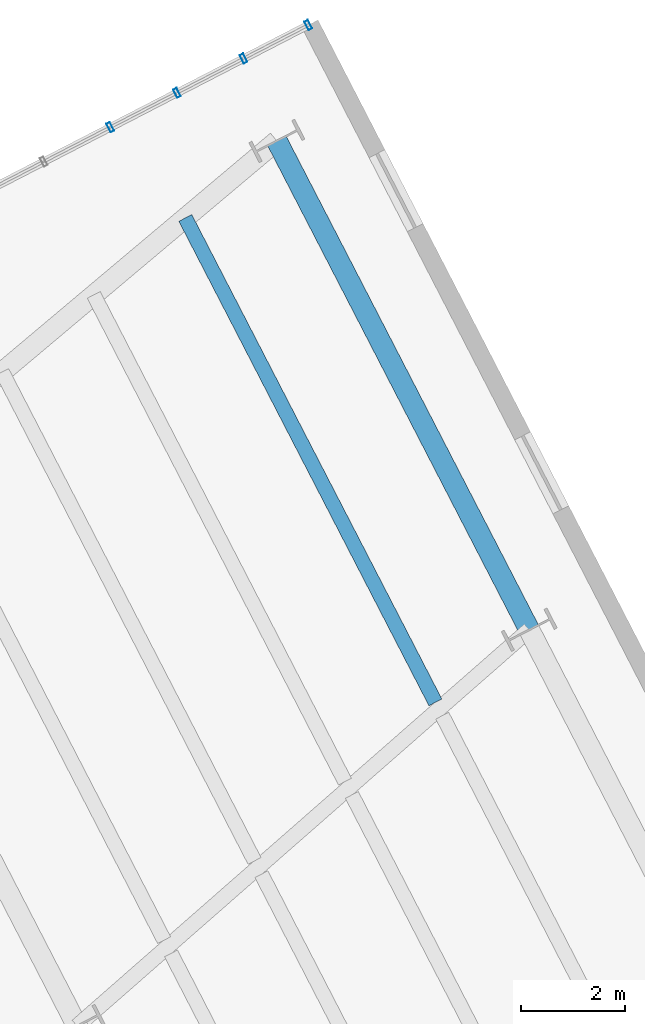
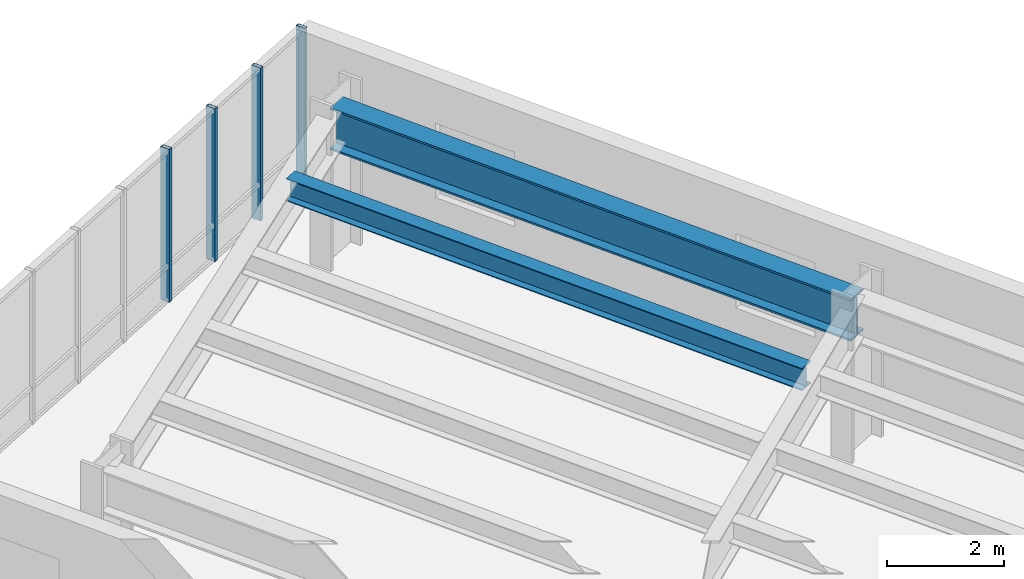
# One storey, part 4 of 11: 4 members, 2 beams, 1 element without a shape of its own.
"""IFC4 building model written with IfcOpenShell, lengths in metres."""

from ifc_helpers import new_model, si_unit, direction, frame, origin, origin_2d, place, context, subcontext, project, spatial, hollow_rectangle, i_section, extrude, material, layer, layer_set, material_profile, profile_set, type_object, element, aggregate, save


model = new_model("IFC4")

# Units and contexts
model_context = context("Model", 3, precision=1e-05, world=origin(), true_north=direction((0.0, 1.0)))
body_context = subcontext(model_context, "Body", "Model", "MODEL_VIEW")
ifc_project = project(units=[si_unit("LENGTHUNIT", "METRE"), si_unit("AREAUNIT", "SQUARE_METRE"), si_unit("VOLUMEUNIT", "CUBIC_METRE"), si_unit("PLANEANGLEUNIT", "RADIAN"), si_unit("MASSUNIT", "GRAM", prefix="KILO"), si_unit("THERMODYNAMICTEMPERATUREUNIT", "KELVIN"), si_unit("POWERUNIT", "WATT")], contexts=[model_context])

# Site, building, storey
site_placement = place(None, origin())
site = spatial("IfcSite", under=ifc_project, at=site_placement, CompositionType="ELEMENT")
building_placement = place(site_placement, origin())
building = spatial("IfcBuilding", under=site, at=building_placement, Name="Skarre Station Tower", CompositionType="ELEMENT")
storey_placement = place(building_placement, frame((0.0, 0.0, 146.39990234375)))
storey = spatial("IfcBuildingStorey", under=building, at=storey_placement, Name="L39", CompositionType="ELEMENT", Elevation=146.39990234375)

# Curtain wall, members
ifc_material_1 = material(Name="Thermally Broken Bronze-Anodized Aluminium & Triple Low-E Glass", Category="aluminium")
ifc_layer = layer(ifc_material_1, 0.2099609375, Name="Thermally Broken Bronze-Anodized Aluminium & Triple Low-E Glass")
ifc_layer_set = layer_set([ifc_layer], Name="Thermally Broken Bronze-Anodized Aluminium & Triple Low-E Glass")
curtain_wall_type = type_object("IfcCurtainWallType", Name="Sky-Bar Prow Structural Glazed Curtain Wall", PredefinedType="NOTDEFINED", material=ifc_layer_set)
curtain_wall_placement = place(storey_placement, origin())
curtain_wall = element("IfcCurtainWall", 1, at=curtain_wall_placement, inside=storey, type_object=curtain_wall_type, Name="L39 SB-3 Lakefront Prow Curtain Wall", PredefinedType="NOTDEFINED")
ifc_material_2 = material(Name="Anodized Aluminium 6063-T6", Category="aluminium")
ifc_material_profile_1 = material_profile(ifc_material_2, hollow_rectangle(XDim=0.074951171875, YDim=0.179931640625, WallThickness=0.00390625, at=origin_2d()), Name="Anodized Aluminium 6063-T6")
ifc_profile_set_1 = profile_set([ifc_material_profile_1], Name="Anodized Aluminium 6063-T6")
member_type = type_object("IfcMemberType", Name="Curtain-Wall Unitised Tower Mullion 180x75", PredefinedType="MULLION", material=ifc_profile_set_1)
member_1_placement = place(storey_placement, frame((19.236083984375, 58.6298828125, 0.0), z_axis=(0.0, 0.0, 1.0), x_axis=(0.888601222224, 0.458680572798, 0.0)))
member_1 = element("IfcMember", 2, at=member_1_placement, type_object=member_type, Name="L39 SB-3 Lakefront Prow Curtain Wall Mullion 8", PredefinedType="MULLION", context=body_context, shape_type="SweptSolid", body=[
    extrude(hollow_rectangle(XDim=0.074951171875, YDim=0.179931640625, WallThickness=0.00390625, at=origin_2d()), origin(), (0.0, 0.0, 1.0), 3.190185546875),
])
member_2_placement = place(storey_placement, frame((20.51611328125, 59.2900390625, 0.0), z_axis=(0.0, 0.0, 1.0), x_axis=(0.888601222224, 0.458680572798, 0.0)))
member_2 = element("IfcMember", 3, at=member_2_placement, type_object=member_type, Name="L39 SB-3 Lakefront Prow Curtain Wall Mullion 9", PredefinedType="MULLION", context=body_context, shape_type="SweptSolid", body=[
    extrude(hollow_rectangle(XDim=0.074951171875, YDim=0.179931640625, WallThickness=0.00390625, at=origin_2d()), origin(), (0.0, 0.0, 1.0), 3.190185546875),
])
member_3_placement = place(storey_placement, frame((21.794921875, 59.949951171875, 0.0), z_axis=(0.0, 0.0, 1.0), x_axis=(0.888601222224, 0.458680572798, 0.0)))
member_3 = element("IfcMember", 4, at=member_3_placement, type_object=member_type, Name="L39 SB-3 Lakefront Prow Curtain Wall Mullion 10", PredefinedType="MULLION", context=body_context, shape_type="SweptSolid", body=[
    extrude(hollow_rectangle(XDim=0.074951171875, YDim=0.179931640625, WallThickness=0.00390625, at=origin_2d()), origin(), (0.0, 0.0, 1.0), 3.190185546875),
])
member_4_placement = place(storey_placement, frame((23.0390625, 60.593017578125, 0.0), z_axis=(0.0, 0.0, 1.0), x_axis=(0.888601222224, 0.458680572798, 0.0)))
member_4 = element("IfcMember", 5, at=member_4_placement, type_object=member_type, Name="L39 SB-3 Lakefront Prow Curtain Wall Mullion 11", PredefinedType="MULLION", context=body_context, shape_type="SweptSolid", body=[
    extrude(hollow_rectangle(XDim=0.074951171875, YDim=0.179931640625, WallThickness=0.00390625, at=origin_2d()), origin(), (0.0, 0.0, 1.0), 3.190185546875),
])
aggregate(curtain_wall, [member_1, member_2, member_3, member_4])

# Beams
ifc_material_3 = material(Name="Steel ASTM A992 Grade 50", Category="steel")
ifc_material_profile_2 = material_profile(ifc_material_3, i_section(OverallWidth=0.40087890625, OverallDepth=0.876953125, WebThickness=0.02197265625, FlangeThickness=0.0400390625, at=origin_2d()), Name="Steel ASTM A992 Grade 50")
ifc_profile_set_2 = profile_set([ifc_material_profile_2], Name="Steel ASTM A992 Grade 50")
beam_type_1 = type_object("IfcBeamType", Name="Steel Beam W33X263", PredefinedType="BEAM", material=ifc_profile_set_2)
beam_1_placement = place(storey_placement, frame((27.283935546875, 48.97607421875, 2.72607421875), z_axis=(-0.458679988111, 0.888601524029, 0.0), x_axis=(-0.888601524029, -0.458679988111, 0.0)))
element("IfcBeam", 6, at=beam_1_placement, inside=storey, type_object=beam_type_1, Name="L39 SB-3 Side 1 Outer Girder", PredefinedType="BEAM", context=body_context, shape_type="SweptSolid", body=[
    extrude(i_section(OverallWidth=0.40087890625, OverallDepth=0.876953125, WebThickness=0.02197265625, FlangeThickness=0.0400390625, at=origin_2d()), origin(), (0.0, 0.0, 1.0), 10.5693359375),
])
ifc_material_profile_3 = material_profile(ifc_material_3, i_section(OverallWidth=0.280029296875, OverallDepth=0.462890625, WebThickness=0.010986328125, FlangeThickness=0.01708984375, at=origin_2d()), Name="Steel ASTM A992 Grade 50")
ifc_profile_set_3 = profile_set([ifc_material_profile_3], Name="Steel ASTM A992 Grade 50")
beam_type_2 = type_object("IfcBeamType", Name="Steel Joist W18X76", PredefinedType="JOIST", material=ifc_profile_set_3)
beam_2_placement = place(storey_placement, frame((25.48095703125, 47.58203125, 2.93310546875), z_axis=(-0.458711207207, 0.888585408604, 0.0), x_axis=(-0.888585408604, -0.458711207207, 0.0)))
element("IfcBeam", 7, at=beam_2_placement, inside=storey, type_object=beam_type_2, Name="L39 SB-3 Outer Deck Joist 1", PredefinedType="JOIST", context=body_context, shape_type="SweptSolid", body=[
    extrude(i_section(OverallWidth=0.280029296875, OverallDepth=0.462890625, WebThickness=0.010986328125, FlangeThickness=0.01708984375, at=origin_2d()), origin(), (0.0, 0.0, 1.0), 10.47265625),
])

save(model, "model.ifc")
